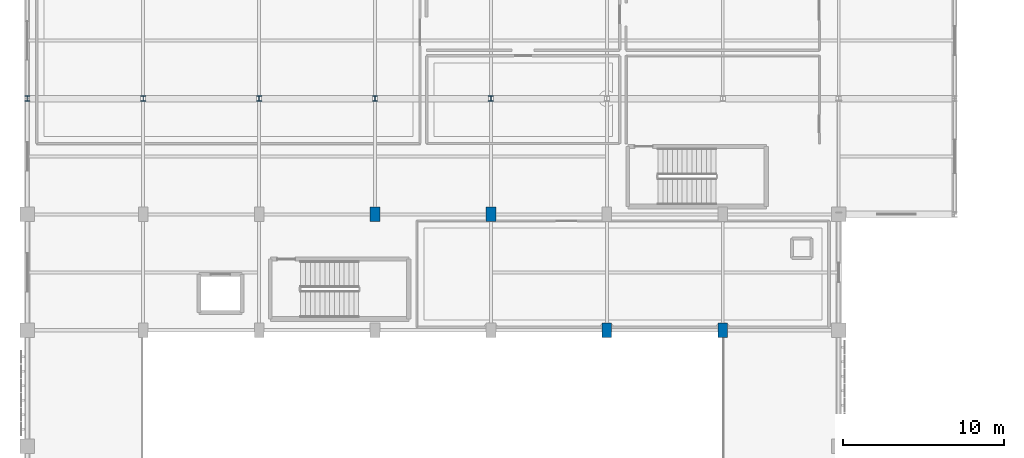
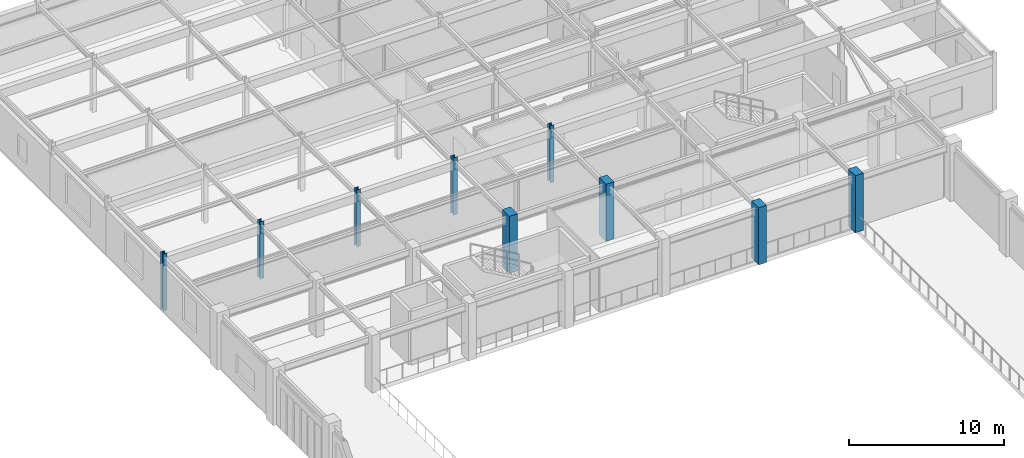
# One storey, part 2 of 106: 9 columns.
"""IFC4 building model written with IfcOpenShell, lengths in metres."""

from ifc_helpers import new_model, si_unit, direction, frame, origin, origin_2d, place, context, subcontext, project, spatial, rectangle, i_section, extrude, material, material_profile, profile_set, type_object, element, save


model = new_model("IFC4")

# Units and contexts
model_context = context("Model", 3, precision=1e-05, world=origin(), true_north=direction((0.0, 1.0)))
body_context = subcontext(model_context, "Body", "Model", "MODEL_VIEW")
ifc_project = project(units=[si_unit("LENGTHUNIT", "METRE"), si_unit("AREAUNIT", "SQUARE_METRE"), si_unit("VOLUMEUNIT", "CUBIC_METRE"), si_unit("PLANEANGLEUNIT", "RADIAN"), si_unit("MASSUNIT", "GRAM", prefix="KILO")], contexts=[model_context])

# Site, building, storey
site_placement = place(None, origin())
site = spatial("IfcSite", under=ifc_project, at=site_placement, CompositionType="ELEMENT")
building_placement = place(site_placement, origin())
building = spatial("IfcBuilding", under=site, at=building_placement, Name="Carrowvane Square Congress Hotel", CompositionType="ELEMENT")
storey_placement = place(building_placement, frame((0.0, 0.0, 10.5)))
storey = spatial("IfcBuildingStorey", under=building, at=storey_placement, Name="L02", CompositionType="ELEMENT", Elevation=10.5)

# Columns
ifc_material_1 = material(Name="Concrete C40/50", Category="concrete")
ifc_material_profile_1 = material_profile(ifc_material_1, rectangle(XDim=0.60009765625, YDim=0.89990234375, at=origin_2d()), Name="RC 600x900")
ifc_profile_set_1 = profile_set([ifc_material_profile_1], Name="Concrete C40/50")
column_type_1 = type_object("IfcColumnType", Name="COL-RC-600x900", PredefinedType="COLUMN", material=ifc_profile_set_1)
for number, where, z_axis, x_axis, name in (
    (1, (33.199951171875, 55.800048828125, 0.0), (0.0, 0.0, 1.0), (1.0, 0.0, 0.0), "L02 column 4/H"),
    (2, (40.39990234375, 55.800048828125, 0.0), (0.0, 0.0, 1.0), (1.0, 0.0, 0.0), "L02 column 5/H"),
    (3, (47.60009765625, 48.60009765625, 0.0), (0.0, 0.0, 1.0), (1.0, 0.0, 0.0), "L02 column 6/G"),
    (4, (54.800048828125, 48.60009765625, 0.0), (0.0, 0.0, 1.0), (1.0, 0.0, 0.0), "L02 column 7/G"),
):
    element("IfcColumn", number, at=place(storey_placement, frame(where, z_axis=z_axis, x_axis=x_axis)), inside=storey, type_object=column_type_1, Name=name, PredefinedType="COLUMN", context=body_context, shape_type="SweptSolid", body=[
        extrude(rectangle(XDim=0.60009765625, YDim=0.89990234375, at=origin_2d()), origin(), (0.0, 0.0, 1.0), 4.5),
    ])
ifc_material_2 = material(Name="Steel S355", Category="steel")
ifc_material_profile_2 = material_profile(ifc_material_2, i_section(OverallWidth=0.30908203125, OverallDepth=0.320556640625, WebThickness=0.013916015625, FlangeThickness=0.021728515625, FilletRadius=0.01513671875, at=origin_2d()), Name="UKC 305x305x137")
ifc_profile_set_2 = profile_set([ifc_material_profile_2], Name="Steel S355")
column_type_2 = type_object("IfcColumnType", Name="COL-ST-UKC305", PredefinedType="COLUMN", material=ifc_profile_set_2)
for number, where, z_axis, x_axis, name in (
    (5, (11.60009765625, 63.0, 0.0), (0.0, 0.0, 1.0), (1.0, 0.0, 0.0), "L02 column 1/J"),
    (6, (18.800048828125, 63.0, 0.0), (0.0, 0.0, 1.0), (1.0, 0.0, 0.0), "L02 column 2/J"),
    (7, (26.0, 63.0, 0.0), (0.0, 0.0, 1.0), (1.0, 0.0, 0.0), "L02 column 3/J"),
    (8, (33.199951171875, 63.0, 0.0), (0.0, 0.0, 1.0), (1.0, 0.0, 0.0), "L02 column 4/J"),
    (9, (40.39990234375, 63.0, 0.0), (0.0, 0.0, 1.0), (1.0, 0.0, 0.0), "L02 column 5/J"),
):
    element("IfcColumn", number, at=place(storey_placement, frame(where, z_axis=z_axis, x_axis=x_axis)), inside=storey, type_object=column_type_2, Name=name, PredefinedType="COLUMN", context=body_context, shape_type="SweptSolid", body=[
        extrude(i_section(OverallWidth=0.30908203125, OverallDepth=0.320556640625, WebThickness=0.013916015625, FlangeThickness=0.021728515625, FilletRadius=0.01513671875, at=origin_2d()), origin(), (0.0, 0.0, 1.0), 4.5),
    ])

save(model, "model.ifc")
